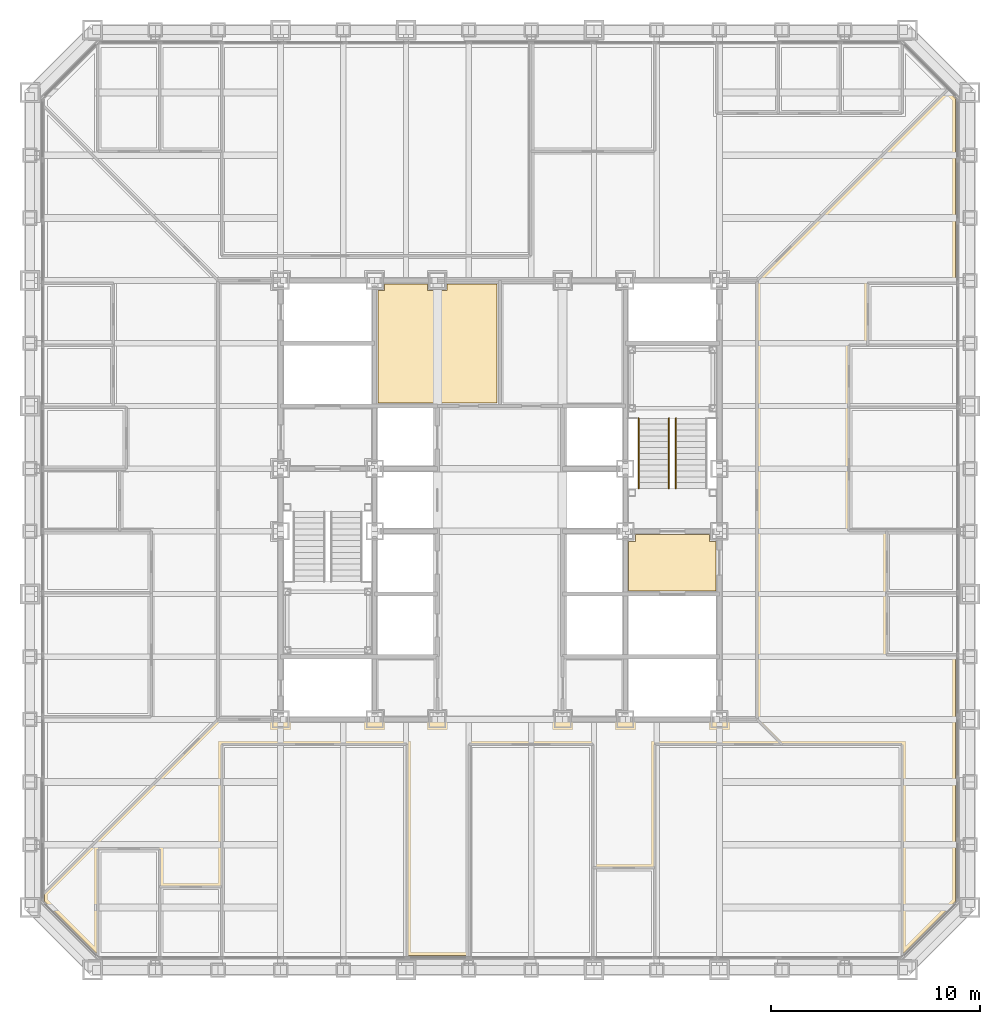
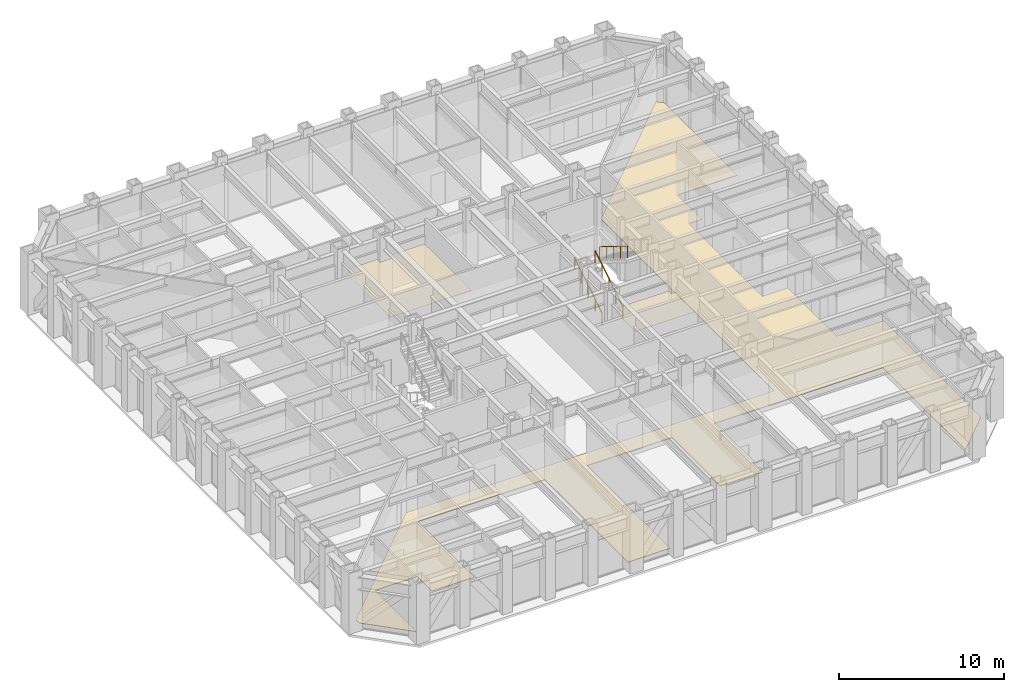
# One storey, part 15 of 17: 3 coverings, 3 railings.
"""IFC4 building model written with IfcOpenShell, lengths in metres."""

from ifc_helpers import new_model, si_unit, direction, frame, origin, origin_2d, place, context, subcontext, project, spatial, polyline, circle, outline, extrude, material, layer, layer_set, type_object, element, save


model = new_model("IFC4")

# Units and contexts
model_context = context("Model", 3, precision=1e-05, world=origin(), true_north=direction((0.0, 1.0)))
body_context = subcontext(model_context, "Body", "Model", "MODEL_VIEW")
ifc_project = project(units=[si_unit("LENGTHUNIT", "METRE"), si_unit("AREAUNIT", "SQUARE_METRE"), si_unit("VOLUMEUNIT", "CUBIC_METRE"), si_unit("PLANEANGLEUNIT", "RADIAN"), si_unit("MASSUNIT", "GRAM", prefix="KILO")], contexts=[model_context])

# Site, building, storey
site_placement = place(None, origin())
site = spatial("IfcSite", under=ifc_project, at=site_placement, CompositionType="ELEMENT")
building_placement = place(site_placement, origin())
building = spatial("IfcBuilding", under=site, at=building_placement, Name="Chuquiago Exchange Tower", CompositionType="ELEMENT")
storey_placement = place(building_placement, frame((0.0, 0.0, 69.300048828125)))
storey = spatial("IfcBuildingStorey", under=building, at=storey_placement, Name="L14", CompositionType="ELEMENT", Elevation=69.300048828125)

# Coverings
ifc_material_1 = material(Name="Moisture resistant plasterboard on metal frame", Category="gypsum")
ifc_layer_1 = layer(ifc_material_1, 0.014892578125)
ifc_layer_set_1 = layer_set([ifc_layer_1], Name="CL2 moisture resistant ceiling 15")
covering_type_1 = type_object("IfcCoveringType", Name="CL2 moisture resistant ceiling 15", PredefinedType="CEILING", material=ifc_layer_set_1)
covering_1_placement = place(storey_placement, frame((0.0, 0.0, 2.599853515625)))
element("IfcCovering", 1, at=covering_1_placement, inside=storey, type_object=covering_type_1, Name="Ceiling Male WC", PredefinedType="CEILING", context=body_context, shape_type="SweptSolid", body=[
    extrude(outline(polyline([(16.64990234375, 27.14990234375), (16.64990234375, 32.52490234375), (16.97509765625, 32.52490234375), (16.97509765625, 32.85009765625), (19.02490234375, 32.85009765625), (19.02490234375, 32.52490234375), (19.97509765625, 32.52490234375), (19.97509765625, 32.85009765625), (22.35009765625, 32.85009765625), (22.35009765625, 27.14990234375), (16.64990234375, 27.14990234375)])), origin(), (0.0, 0.0, 1.0), 0.01513671875),
])
ifc_material_2 = material(Name="Pale metal plank ceiling, perforated", Category="aluminium")
ifc_layer_2 = layer(ifc_material_2, 0.030029296875)
ifc_layer_set_2 = layer_set([ifc_layer_2], Name="CL3 metal plank ceiling 30")
covering_type_2 = type_object("IfcCoveringType", Name="CL3 metal plank ceiling 30", PredefinedType="CEILING", material=ifc_layer_set_2)
covering_2_placement = place(storey_placement, frame((0.0, 0.0, 2.800048828125)))
element("IfcCovering", 2, at=covering_2_placement, inside=storey, type_object=covering_type_2, Name="Ceiling Firefighting lobby", PredefinedType="CEILING", context=body_context, shape_type="SweptSolid", body=[
    extrude(outline(polyline([(28.64990234375, 18.14990234375), (28.64990234375, 20.52490234375), (28.97509765625, 20.52490234375), (28.97509765625, 20.85009765625), (32.52490234375, 20.85009765625), (32.52490234375, 20.52490234375), (32.85009765625, 20.52490234375), (32.85009765625, 18.14990234375), (28.64990234375, 18.14990234375)])), origin(), (0.0, 0.0, 1.0), 0.02978515625),
])

# Railings
ifc_material_3 = material(Name="Pale metal handrail", Category="steel")
railing_type = type_object("IfcRailingType", Name="HR1 handrail 900", PredefinedType="HANDRAIL", material=ifc_material_3)
for number, where, name in (
    (3, (30.5849609375, 23.050048828125, 0.173095703125), "Handrail ST2 L14 flight 1"),
    (4, (29.135009765625, 23.050048828125, 0.173095703125), "Handrail ST2 L14 flight 1"),
):
    element("IfcRailing", number, at=place(storey_placement, frame(where)), inside=storey, type_object=railing_type, Name=name, PredefinedType="HANDRAIL", context=body_context, shape_type="SweptSolid", body=[
        extrude(circle(Radius=0.02392578125, at=origin_2d()), frame((0.0, 0.0, 0.8759765625), z_axis=(0.0, 0.850606129759, 0.525803396734), x_axis=(-1.0, 0.0, 0.0)), (0.0, 0.0, 1.0), 3.949951171875),
        extrude(circle(Radius=0.02099609375, at=origin_2d()), origin(), (0.0, 0.0, 1.0), 0.851806640625),
        extrude(circle(Radius=0.02099609375, at=origin_2d()), frame((0.0, 0.83984375, 0.519287109375)), (0.0, 0.0, 1.0), 0.851806640625),
        extrude(circle(Radius=0.02099609375, at=origin_2d()), frame((0.0, 1.679931640625, 1.03857421875)), (0.0, 0.0, 1.0), 0.851806640625),
        extrude(circle(Radius=0.02099609375, at=origin_2d()), frame((0.0, 2.52001953125, 1.5576171875)), (0.0, 0.0, 1.0), 0.851806640625),
        extrude(circle(Radius=0.02099609375, at=origin_2d()), frame((0.0, 3.35986328125, 2.076904296875)), (0.0, 0.0, 1.0), 0.851806640625),
    ])
railing_placement = place(storey_placement, frame((30.9150390625, 26.409912109375, 2.423095703125)))
element("IfcRailing", 5, at=railing_placement, inside=storey, type_object=railing_type, Name="Handrail ST2 L14 flight 2", PredefinedType="HANDRAIL", context=body_context, shape_type="SweptSolid", body=[
    extrude(circle(Radius=0.02392578125, at=origin_2d()), frame((0.0, 0.0, 0.8759765625), z_axis=(0.0, -0.850606129759, 0.525803396734), x_axis=(1.0, 0.0, 0.0)), (0.0, 0.0, 1.0), 3.949951171875),
    extrude(circle(Radius=0.02099609375, at=origin_2d()), origin(), (0.0, 0.0, 1.0), 0.851806640625),
    extrude(circle(Radius=0.02099609375, at=origin_2d()), frame((0.0, -0.83984375, 0.519287109375)), (0.0, 0.0, 1.0), 0.851806640625),
    extrude(circle(Radius=0.02099609375, at=origin_2d()), frame((0.0, -1.679931640625, 1.03857421875)), (0.0, 0.0, 1.0), 0.851806640625),
    extrude(circle(Radius=0.02099609375, at=origin_2d()), frame((0.0, -2.52001953125, 1.5576171875)), (0.0, 0.0, 1.0), 0.851806640625),
    extrude(circle(Radius=0.02099609375, at=origin_2d()), frame((0.0, -3.35986328125, 2.076904296875)), (0.0, 0.0, 1.0), 0.851806640625),
])

# Covering
ifc_material_4 = material(Name="Steel raised floor panel", Category="steel")
ifc_layer_3 = layer(ifc_material_4, 0.0400390625)
ifc_layer_set_3 = layer_set([ifc_layer_3], Name="RF1 raised access floor 40")
covering_type_3 = type_object("IfcCoveringType", Name="RF1 raised access floor 40", PredefinedType="FLOORING", material=ifc_layer_set_3)
covering_3_placement = place(storey_placement, frame((0.0, 0.0, -0.0400390625)))
element("IfcCovering", 6, at=covering_3_placement, inside=storey, type_object=covering_type_3, Name="Raised access floor Trading floor east", PredefinedType="FLOORING", context=body_context, shape_type="SweptSolid", body=[
    extrude(outline(polyline([(44.300048828125, 41.710205078125), (44.300048828125, 32.8662109375), (40.10009765625, 32.8662109375), (40.10009765625, 29.904296875), (39.199951171875, 29.904296875), (39.199951171875, 21.01904296875), (41.0, 21.01904296875), (41.0, 15.095703125), (44.300048828125, 15.095703125), (44.300048828125, 3.289794921875), (41.75146484375, 0.741455078125), (41.75146484375, 10.800048828125), (29.904296875, 10.800048828125), (29.904296875, 4.89990234375), (26.942626953125, 4.89990234375), (26.942626953125, 10.800048828125), (21.01904296875, 10.800048828125), (21.01904296875, 0.699951171875), (18.057373046875, 0.699951171875), (18.057373046875, 10.800048828125), (9.172119140625, 10.800048828125), (9.172119140625, 4.0), (6.210205078125, 4.0), (6.210205078125, 5.800048828125), (3.24853515625, 5.800048828125), (3.24853515625, 0.741455078125), (0.699951171875, 3.289794921875), (0.699951171875, 3.69921875), (9.00048828125, 12.0), (34.800048828125, 12.0), (34.800048828125, 32.99951171875), (43.905517578125, 42.104736328125), (44.300048828125, 41.710205078125)])), origin(), (0.0, 0.0, 1.0), 0.0400390625),
])

save(model, "model.ifc")
